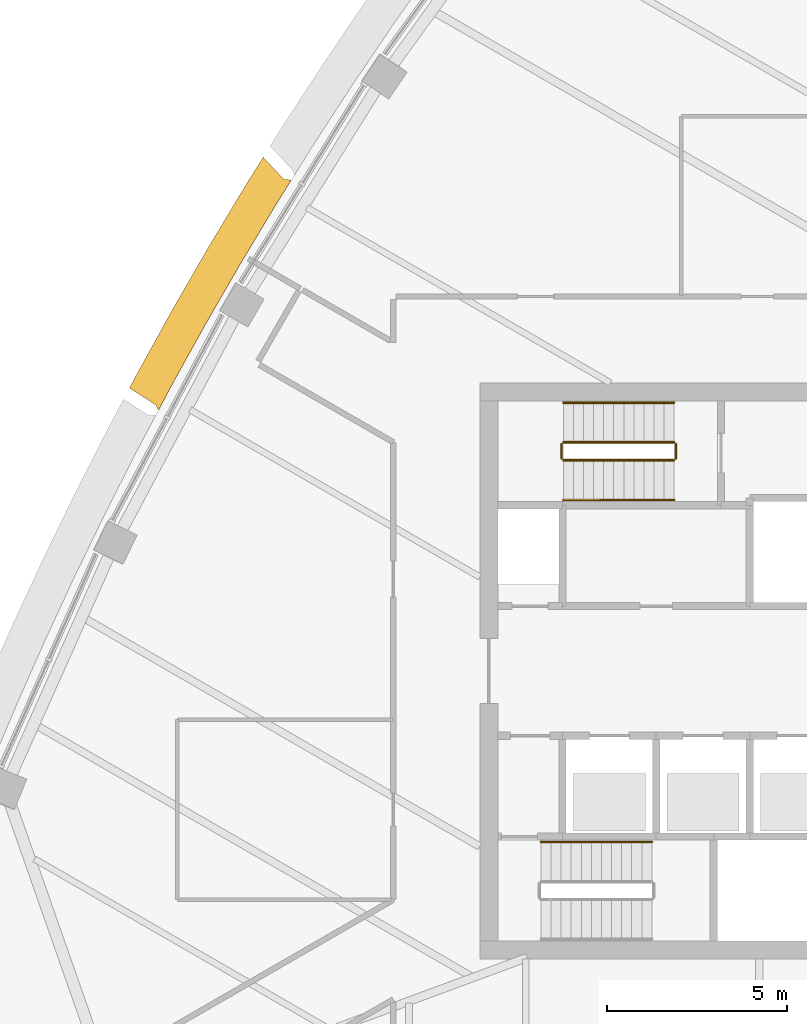
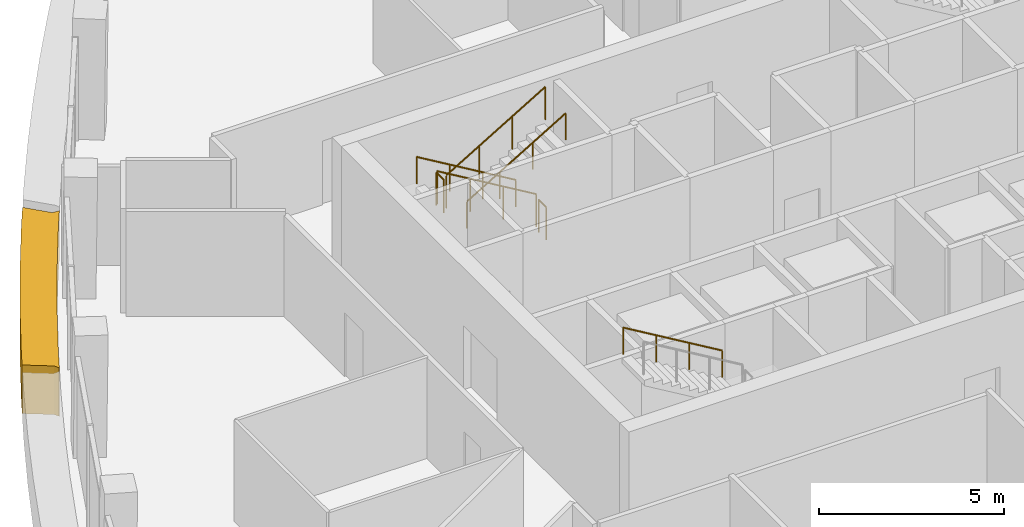
# One storey, part 16 of 20: 7 railings, 1 covering.
"""IFC4 building model written with IfcOpenShell, lengths in metres."""

from ifc_helpers import new_model, si_unit, direction, frame, origin, origin_2d, place, context, subcontext, project, spatial, polyline, circle, outline, extrude, material, layer, layer_set, type_object, element, save


model = new_model("IFC4")

# Units and contexts
model_context = context("Model", 3, precision=1e-05, world=origin(), true_north=direction((0.0, 1.0)))
body_context = subcontext(model_context, "Body", "Model", "MODEL_VIEW")
ifc_project = project(units=[si_unit("LENGTHUNIT", "METRE"), si_unit("AREAUNIT", "SQUARE_METRE"), si_unit("VOLUMEUNIT", "CUBIC_METRE"), si_unit("PLANEANGLEUNIT", "RADIAN"), si_unit("MASSUNIT", "GRAM", prefix="KILO")], contexts=[model_context])

# Site, building, storey
site_placement = place(None, origin())
site = spatial("IfcSite", under=ifc_project, at=site_placement, CompositionType="ELEMENT")
building_placement = place(site_placement, origin())
building = spatial("IfcBuilding", under=site, at=building_placement, Name="Sierra Prisma Convention Tower", CompositionType="ELEMENT")
storey_placement = place(building_placement, frame((0.0, 0.0, 275.0)))
storey = spatial("IfcBuildingStorey", under=building, at=storey_placement, Name="L62", CompositionType="ELEMENT", Elevation=275.0)

# Covering
ifc_material_1 = material(Name="Aluminium composite bronze anodised", Category="aluminium")
ifc_layer = layer(ifc_material_1, 1.0)
ifc_layer_set = layer_set([ifc_layer], Name="Bronze spandrel band")
covering_type = type_object("IfcCoveringType", Name="Bronze spandrel band", PredefinedType="CLADDING", material=ifc_layer_set)
covering_placement = place(storey_placement, frame((0.0, 0.0, -1.60009765625)))
element("IfcCovering", 1, at=covering_placement, inside=storey, type_object=covering_type, Name="Spandrel band L62.3", PredefinedType="CLADDING", context=body_context, shape_type="SweptSolid", body=[
    extrude(outline(polyline([(-17.4755859375, 13.53076171875), (-17.013916015625, 14.2685546875), (-16.45751953125, 13.6708984375), (-16.453857421875, 13.66748046875), (-16.449951171875, 13.664306640625), (-16.44580078125, 13.66162109375), (-16.44140625, 13.659423828125), (-16.436767578125, 13.65771484375), (-16.431884765625, 13.65625), (-16.427001953125, 13.655517578125), (-16.260498046875, 13.634521484375), (-16.255615234375, 13.634033203125), (-16.2509765625, 13.63427734375), (-16.246337890625, 13.634765625), (-16.24169921875, 13.6357421875), (-16.237060546875, 13.63720703125), (-16.232666015625, 13.638916015625), (-16.228515625, 13.64111328125), (-16.2255859375, 13.643310546875), (-16.628173828125, 13.0), (-17.639892578125, 11.31787109375), (-18.62158203125, 9.617919921875), (-19.572509765625, 7.900390625), (-19.927978515625, 7.22998046875), (-19.927978515625, 7.234375), (-19.927978515625, 7.2392578125), (-19.9287109375, 7.244140625), (-19.929931640625, 7.248779296875), (-19.931396484375, 7.25341796875), (-19.93359375, 7.2578125), (-19.9951171875, 7.374755859375), (-19.997802734375, 7.379150390625), (-20.000732421875, 7.38330078125), (-20.004150390625, 7.386962890625), (-20.008056640625, 7.390380859375), (-20.01220703125, 7.393310546875), (-20.7275390625, 7.857177734375), (-20.455810546875, 8.369140625), (-20.447265625, 8.384765625), (-19.496337890625, 10.102294921875), (-19.487548828125, 10.117919921875), (-18.506103515625, 11.81787109375), (-18.496826171875, 11.833251953125), (-17.485107421875, 13.515380859375), (-17.4755859375, 13.53076171875)])), origin(), (0.0, 0.0, 1.0), 1.60009765625),
])

# Railings
ifc_material_2 = material(Name="Stainless steel", Category="steel")
railing_type_1 = type_object("IfcRailingType", Name="Exit stair handrail", PredefinedType="HANDRAIL", material=ifc_material_2)
railing_1_placement = place(storey_placement, frame((-6.219970703125, -4.75, 2.166748046875)))
element("IfcRailing", 2, at=railing_1_placement, inside=storey, type_object=railing_type_1, Name="L62 S1 stair handrail 2", PredefinedType="HANDRAIL", context=body_context, shape_type="SweptSolid", body=[
    extrude(circle(Radius=0.02392578125, at=origin_2d()), frame((0.0, 0.0, 0.8759765625), z_axis=(-0.859308565015, 0.0, 0.511457515432), x_axis=(0.0, -1.0, 0.0)), (0.0, 0.0, 1.0), 3.58447265625),
    extrude(circle(Radius=0.02099609375, at=origin_2d()), origin(), (0.0, 0.0, 1.0), 0.851806640625),
    extrude(circle(Radius=0.02099609375, at=origin_2d()), frame((-1.026611328125, 0.0, 0.611083984375)), (0.0, 0.0, 1.0), 0.851806640625),
    extrude(circle(Radius=0.02099609375, at=origin_2d()), frame((-2.053466796875, 0.0, 1.22216796875)), (0.0, 0.0, 1.0), 0.851806640625),
    extrude(circle(Radius=0.02099609375, at=origin_2d()), frame((-3.080078125, 0.0, 1.833251953125)), (0.0, 0.0, 1.0), 0.851806640625),
])
railing_2_placement = place(storey_placement, frame((-5.60009765625, 7.449951171875, 0.166748046875)))
element("IfcRailing", 3, at=railing_2_placement, inside=storey, type_object=railing_type_1, Name="L62 S3 stair handrail 1", PredefinedType="HANDRAIL", context=body_context, shape_type="SweptSolid", body=[
    extrude(circle(Radius=0.02392578125, at=origin_2d()), frame((0.0, 0.0, 0.8759765625), z_axis=(-0.859290745958, 0.0, 0.51148745235), x_axis=(0.0, -1.0, 0.0)), (0.0, 0.0, 1.0), 3.584228515625),
    extrude(circle(Radius=0.02099609375, at=origin_2d()), origin(), (0.0, 0.0, 1.0), 0.851806640625),
    extrude(circle(Radius=0.02099609375, at=origin_2d()), frame((-1.026611328125, 0.0, 0.611083984375)), (0.0, 0.0, 1.0), 0.851806640625),
    extrude(circle(Radius=0.02099609375, at=origin_2d()), frame((-2.05322265625, 0.0, 1.22216796875)), (0.0, 0.0, 1.0), 0.851806640625),
    extrude(circle(Radius=0.02099609375, at=origin_2d()), frame((-3.079833984375, 0.0, 1.833251953125)), (0.0, 0.0, 1.0), 0.851806640625),
])
railing_3_placement = place(storey_placement, frame((-8.679931640625, 4.75, 2.166748046875)))
element("IfcRailing", 4, at=railing_3_placement, inside=storey, type_object=railing_type_1, Name="L62 S3 stair handrail 2", PredefinedType="HANDRAIL", context=body_context, shape_type="SweptSolid", body=[
    extrude(circle(Radius=0.02392578125, at=origin_2d()), frame((0.0, 0.0, 0.8759765625), z_axis=(0.859290745958, 0.0, 0.51148745235), x_axis=(0.0, 1.0, 0.0)), (0.0, 0.0, 1.0), 3.584228515625),
    extrude(circle(Radius=0.02099609375, at=origin_2d()), origin(), (0.0, 0.0, 1.0), 0.851806640625),
    extrude(circle(Radius=0.02099609375, at=origin_2d()), frame((1.026611328125, 0.0, 0.611083984375)), (0.0, 0.0, 1.0), 0.851806640625),
    extrude(circle(Radius=0.02099609375, at=origin_2d()), frame((2.05322265625, 0.0, 1.22216796875)), (0.0, 0.0, 1.0), 0.851806640625),
    extrude(circle(Radius=0.02099609375, at=origin_2d()), frame((3.079833984375, 0.0, 1.833251953125)), (0.0, 0.0, 1.0), 0.851806640625),
])
ifc_material_3 = material(Name="Stainless steel", Category="steel")
railing_type_2 = type_object("IfcRailingType", Name="Stair guard 1100", PredefinedType="GUARDRAIL", material=ifc_material_3)
railing_4_placement = place(storey_placement, frame((-5.60009765625, 6.35009765625, 0.166748046875)))
element("IfcRailing", 5, at=railing_4_placement, inside=storey, type_object=railing_type_2, Name="L62 S3 stair guard 1", PredefinedType="GUARDRAIL", context=body_context, shape_type="SweptSolid", body=[
    extrude(circle(Radius=0.02392578125, at=origin_2d()), frame((0.0, 0.0, 1.076171875), z_axis=(-0.859290745958, 0.0, 0.51148745235), x_axis=(0.0, -1.0, 0.0)), (0.0, 0.0, 1.0), 3.584228515625),
    extrude(circle(Radius=0.02099609375, at=origin_2d()), origin(), (0.0, 0.0, 1.0), 1.052001953125),
    extrude(circle(Radius=0.02099609375, at=origin_2d()), frame((-1.026611328125, 0.0, 0.611083984375)), (0.0, 0.0, 1.0), 1.052001953125),
    extrude(circle(Radius=0.02099609375, at=origin_2d()), frame((-2.05322265625, 0.0, 1.22216796875)), (0.0, 0.0, 1.0), 1.052001953125),
    extrude(circle(Radius=0.02099609375, at=origin_2d()), frame((-3.079833984375, 0.0, 1.833251953125)), (0.0, 0.0, 1.0), 1.052001953125),
])
railing_5_placement = place(storey_placement, frame((-8.72998046875, 6.300048828125, 2.0)))
element("IfcRailing", 6, at=railing_5_placement, inside=storey, type_object=railing_type_2, Name="L62 S3 stair guard 2", PredefinedType="GUARDRAIL", context=body_context, shape_type="SweptSolid", body=[
    extrude(circle(Radius=0.02392578125, at=origin_2d()), frame((0.0, 0.0, 1.076171875), z_axis=(0.0, -1.0, 0.0), x_axis=(1.0, 0.0, 0.0)), (0.0, 0.0, 1.0), 0.400146484375),
    extrude(circle(Radius=0.02099609375, at=origin_2d()), origin(), (0.0, 0.0, 1.0), 1.052001953125),
    extrude(circle(Radius=0.02099609375, at=origin_2d()), frame((0.0, -0.400146484375, 0.0)), (0.0, 0.0, 1.0), 1.052001953125),
])
railing_6_placement = place(storey_placement, frame((-8.679931640625, 5.85009765625, 2.166748046875)))
element("IfcRailing", 7, at=railing_6_placement, inside=storey, type_object=railing_type_2, Name="L62 S3 stair guard 3", PredefinedType="GUARDRAIL", context=body_context, shape_type="SweptSolid", body=[
    extrude(circle(Radius=0.02392578125, at=origin_2d()), frame((0.0, 0.0, 1.076171875), z_axis=(0.859290745958, 0.0, 0.51148745235), x_axis=(0.0, 1.0, 0.0)), (0.0, 0.0, 1.0), 3.584228515625),
    extrude(circle(Radius=0.02099609375, at=origin_2d()), origin(), (0.0, 0.0, 1.0), 1.052001953125),
    extrude(circle(Radius=0.02099609375, at=origin_2d()), frame((1.026611328125, 0.0, 0.611083984375)), (0.0, 0.0, 1.0), 1.052001953125),
    extrude(circle(Radius=0.02099609375, at=origin_2d()), frame((2.05322265625, 0.0, 1.22216796875)), (0.0, 0.0, 1.0), 1.052001953125),
    extrude(circle(Radius=0.02099609375, at=origin_2d()), frame((3.079833984375, 0.0, 1.833251953125)), (0.0, 0.0, 1.0), 1.052001953125),
])
railing_7_placement = place(storey_placement, frame((-5.550048828125, 6.300048828125, 0.0)))
element("IfcRailing", 8, at=railing_7_placement, inside=storey, type_object=railing_type_2, Name="L62 S3 stair guard 4", PredefinedType="GUARDRAIL", context=body_context, shape_type="SweptSolid", body=[
    extrude(circle(Radius=0.02392578125, at=origin_2d()), frame((0.0, 0.0, 1.076171875), z_axis=(0.0, -1.0, 0.0), x_axis=(1.0, 0.0, 0.0)), (0.0, 0.0, 1.0), 0.400146484375),
    extrude(circle(Radius=0.02099609375, at=origin_2d()), origin(), (0.0, 0.0, 1.0), 1.052001953125),
    extrude(circle(Radius=0.02099609375, at=origin_2d()), frame((0.0, -0.400146484375, 0.0)), (0.0, 0.0, 1.0), 1.052001953125),
])

save(model, "model.ifc")
